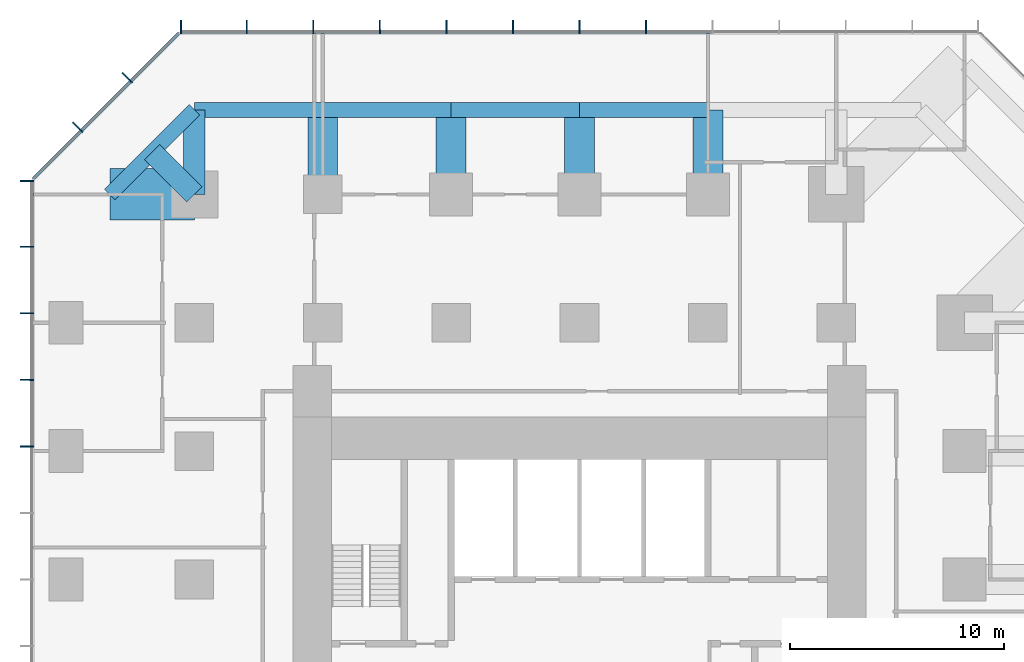
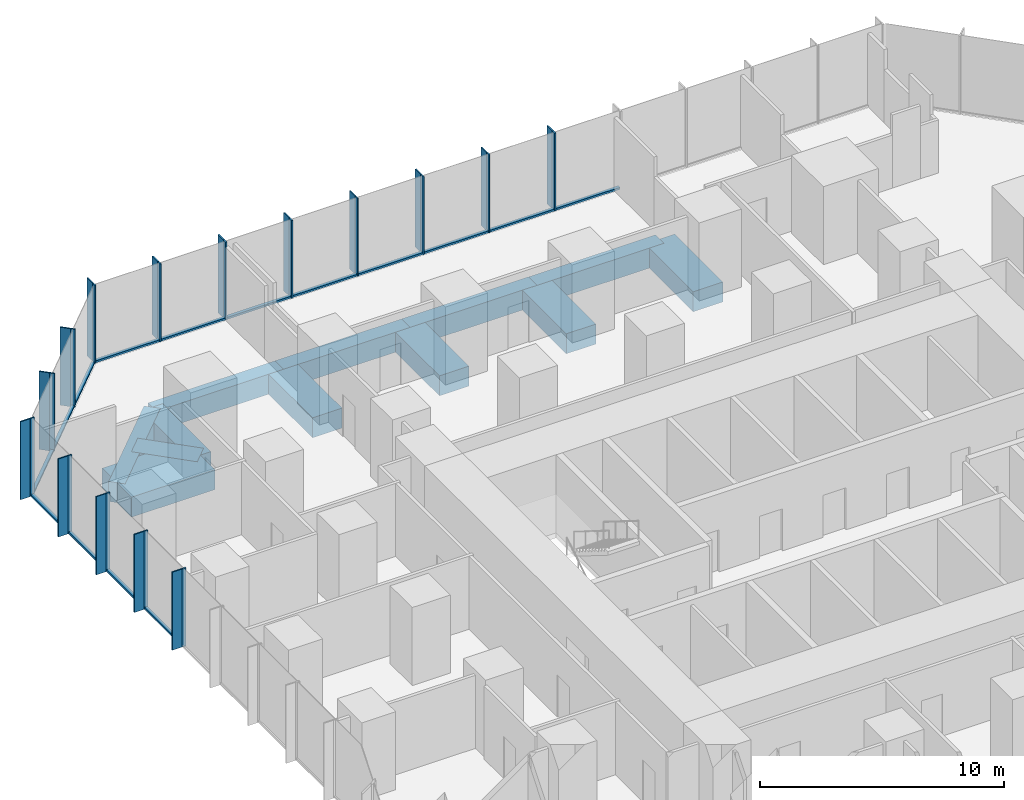
# One storey, part 5 of 12: 45 members, 12 beams, 3 elements without a shape of their own.
"""IFC4 building model written with IfcOpenShell, lengths in metres."""

from ifc_helpers import new_model, si_unit, direction, frame, origin, origin_2d, place, context, subcontext, project, spatial, rectangle, extrude, material, layer, layer_set, material_profile, profile_set, type_object, element, aggregate, save


model = new_model("IFC4")

# Units and contexts
model_context = context("Model", 3, precision=1e-05, world=origin(), true_north=direction((0.0, 1.0)))
body_context = subcontext(model_context, "Body", "Model", "MODEL_VIEW")
ifc_project = project(units=[si_unit("LENGTHUNIT", "METRE"), si_unit("AREAUNIT", "SQUARE_METRE"), si_unit("VOLUMEUNIT", "CUBIC_METRE"), si_unit("PLANEANGLEUNIT", "RADIAN"), si_unit("MASSUNIT", "GRAM", prefix="KILO")], contexts=[model_context])

# Site, building, storey
site_placement = place(None, origin())
site = spatial("IfcSite", under=ifc_project, at=site_placement, CompositionType="ELEMENT")
building_placement = place(site_placement, origin())
building = spatial("IfcBuilding", under=site, at=building_placement, Name="Highveld Stack Headquarters", CompositionType="ELEMENT")
storey_placement = place(building_placement, frame((0.0, 0.0, 72.800048828125)))
storey = spatial("IfcBuildingStorey", under=building, at=storey_placement, Name="L17", CompositionType="ELEMENT", Elevation=72.800048828125)

# Beams
ifc_material_1 = material(Name="Concrete C60/75", Category="concrete")
ifc_material_profile_1 = material_profile(ifc_material_1, rectangle(XDim=1.0, YDim=1.0, at=origin_2d()), Name="RC 1000x1000")
ifc_profile_set_1 = profile_set([ifc_material_profile_1], Name="Concrete C60/75")
beam_type_1 = type_object("IfcBeamType", Name="CANTILEVER RIB RC 1000x1000", PredefinedType="USERDEFINED", material=ifc_profile_set_1)
beam_1_placement = place(storey_placement, frame((-12.0, 24.0, -0.75), z_axis=(0.0, 1.0, 0.0), x_axis=(-1.0, 0.0, 0.0)))
element("IfcBeam", 1, at=beam_1_placement, inside=storey, type_object=beam_type_1, Name="Cantilever rib 4/J L17", ObjectType="CANTILEVER RIB", PredefinedType="USERDEFINED", context=body_context, shape_type="SweptSolid", body=[
    extrude(rectangle(XDim=1.0, YDim=1.0, at=origin_2d()), origin(), (0.0, 0.0, 1.0), 3.949951171875),
])
beam_2_placement = place(storey_placement, frame((-12.0, 24.0, -0.75), z_axis=(-0.707106781187, 0.707106781187, 0.0), x_axis=(-0.707106781187, -0.707106781187, 0.0)))
element("IfcBeam", 2, at=beam_2_placement, inside=storey, type_object=beam_type_1, Name="Cantilever rib 4/J L17", ObjectType="CANTILEVER RIB", PredefinedType="USERDEFINED", context=body_context, shape_type="SweptSolid", body=[
    extrude(rectangle(XDim=1.0, YDim=1.0, at=origin_2d()), origin(), (0.0, 0.0, 1.0), 2.793212890625),
])
ifc_material_2 = material(Name="Concrete C60/75", Category="concrete")
ifc_material_profile_2 = material_profile(ifc_material_2, rectangle(XDim=1.39990234375, YDim=1.0, at=origin_2d()), Name="RC 1400x1000")
ifc_profile_set_2 = profile_set([ifc_material_profile_2], Name="Concrete C60/75")
beam_type_2 = type_object("IfcBeamType", Name="CANTILEVER RIB RC 1400x1000", PredefinedType="USERDEFINED", material=ifc_profile_set_2)
for number, where, z_axis, x_axis, name in (
    (3, (-6.0, 24.0, -0.75), (0.0, 1.0, 0.0), (-1.0, 0.0, 0.0), "Cantilever rib 5/J L17"),
    (4, (0.0, 24.0, -0.75), (0.0, 1.0, 0.0), (-1.0, 0.0, 0.0), "Cantilever rib 6/J L17"),
    (5, (6.0, 24.0, -0.75), (0.0, 1.0, 0.0), (-1.0, 0.0, 0.0), "Cantilever rib 7/J L17"),
    (6, (12.0, 24.0, -0.75), (0.0, 1.0, 0.0), (-1.0, 0.0, 0.0), "Cantilever rib 8/J L17"),
):
    element("IfcBeam", number, at=place(storey_placement, frame(where, z_axis=z_axis, x_axis=x_axis)), inside=storey, type_object=beam_type_2, Name=name, ObjectType="CANTILEVER RIB", PredefinedType="USERDEFINED", context=body_context, shape_type="SweptSolid", body=[
        extrude(rectangle(XDim=1.39990234375, YDim=1.0, at=origin_2d()), origin(), (0.0, 0.0, 1.0), 3.949951171875),
    ])
ifc_material_3 = material(Name="Concrete C60/75", Category="concrete")
ifc_material_profile_3 = material_profile(ifc_material_3, rectangle(XDim=2.39990234375, YDim=1.0, at=origin_2d()), Name="RC 2400x1000")
ifc_profile_set_3 = profile_set([ifc_material_profile_3], Name="Concrete C60/75")
beam_type_3 = type_object("IfcBeamType", Name="CANTILEVER RIB RC 2400x1000", PredefinedType="USERDEFINED", material=ifc_profile_set_3)
beam_3_placement = place(storey_placement, frame((-12.0, 24.0, -0.75), z_axis=(-1.0, 0.0, 0.0), x_axis=(0.0, -1.0, 0.0)))
element("IfcBeam", 7, at=beam_3_placement, inside=storey, type_object=beam_type_3, Name="Cantilever rib 4/J L17", ObjectType="CANTILEVER RIB", PredefinedType="USERDEFINED", context=body_context, shape_type="SweptSolid", body=[
    extrude(rectangle(XDim=2.39990234375, YDim=1.0, at=origin_2d()), origin(), (0.0, 0.0, 1.0), 3.949951171875),
])

# Curtain wall, members
ifc_material_4 = material(Name="Aluminium bronze anodised", Category="aluminium")
ifc_layer_1 = layer(ifc_material_4, 0.199951171875)
ifc_layer_set_1 = layer_set([ifc_layer_1], Name="Aluminium bronze anodised")
curtain_wall_type_1 = type_object("IfcCurtainWallType", Name="CW1 TOWER UNITISED CURTAIN WALL", PredefinedType="NOTDEFINED", material=ifc_layer_set_1)
curtain_wall_1_placement = place(storey_placement, origin())
curtain_wall_1 = element("IfcCurtainWall", 8, at=curtain_wall_1_placement, inside=storey, type_object=curtain_wall_type_1, Name="Curtain wall CW1 L17 N", PredefinedType="NOTDEFINED")
ifc_material_5 = material(Name="Aluminium bronze anodised", Category="aluminium")
ifc_material_profile_4 = material_profile(ifc_material_5, rectangle(XDim=0.449951171875, YDim=0.06005859375, at=origin_2d()), Name="FIN 450x60")
ifc_profile_set_4 = profile_set([ifc_material_profile_4], Name="Aluminium bronze anodised")
member_type_1 = type_object("IfcMemberType", Name="CW1 BRONZE FIN 450x60", PredefinedType="USERDEFINED", material=ifc_profile_set_4)
member_1_placement = place(storey_placement, frame((9.110595703125, 31.925048828125, 0.0), z_axis=(0.0, 0.0, 1.0), x_axis=(0.0, -1.0, 0.0)))
member_1 = element("IfcMember", 9, at=member_1_placement, type_object=member_type_1, Name="CW1 fin L17 6", ObjectType="FIN", PredefinedType="USERDEFINED", context=body_context, shape_type="SweptSolid", body=[
    extrude(rectangle(XDim=0.449951171875, YDim=0.06005859375, at=origin_2d()), origin(), (0.0, 0.0, 1.0), 3.89990234375),
])
member_2_placement = place(storey_placement, frame((6.0, 31.925048828125, 0.0), z_axis=(0.0, 0.0, 1.0), x_axis=(0.0, -1.0, 0.0)))
member_2 = element("IfcMember", 10, at=member_2_placement, type_object=member_type_1, Name="CW1 fin L17 7", ObjectType="FIN", PredefinedType="USERDEFINED", context=body_context, shape_type="SweptSolid", body=[
    extrude(rectangle(XDim=0.449951171875, YDim=0.06005859375, at=origin_2d()), origin(), (0.0, 0.0, 1.0), 3.89990234375),
])
member_3_placement = place(storey_placement, frame((2.889404296875, 31.925048828125, 0.0), z_axis=(0.0, 0.0, 1.0), x_axis=(0.0, -1.0, 0.0)))
member_3 = element("IfcMember", 11, at=member_3_placement, type_object=member_type_1, Name="CW1 fin L17 8", ObjectType="FIN", PredefinedType="USERDEFINED", context=body_context, shape_type="SweptSolid", body=[
    extrude(rectangle(XDim=0.449951171875, YDim=0.06005859375, at=origin_2d()), origin(), (0.0, 0.0, 1.0), 3.89990234375),
])
member_4_placement = place(storey_placement, frame((-0.220947265625, 31.925048828125, 0.0), z_axis=(0.0, 0.0, 1.0), x_axis=(0.0, -1.0, 0.0)))
member_4 = element("IfcMember", 12, at=member_4_placement, type_object=member_type_1, Name="CW1 fin L17 9", ObjectType="FIN", PredefinedType="USERDEFINED", context=body_context, shape_type="SweptSolid", body=[
    extrude(rectangle(XDim=0.449951171875, YDim=0.06005859375, at=origin_2d()), origin(), (0.0, 0.0, 1.0), 3.89990234375),
])
member_5_placement = place(storey_placement, frame((-3.331298828125, 31.925048828125, 0.0), z_axis=(0.0, 0.0, 1.0), x_axis=(0.0, -1.0, 0.0)))
member_5 = element("IfcMember", 13, at=member_5_placement, type_object=member_type_1, Name="CW1 fin L17 10", ObjectType="FIN", PredefinedType="USERDEFINED", context=body_context, shape_type="SweptSolid", body=[
    extrude(rectangle(XDim=0.449951171875, YDim=0.06005859375, at=origin_2d()), origin(), (0.0, 0.0, 1.0), 3.89990234375),
])
member_6_placement = place(storey_placement, frame((-6.44189453125, 31.925048828125, 0.0), z_axis=(0.0, 0.0, 1.0), x_axis=(0.0, -1.0, 0.0)))
member_6 = element("IfcMember", 14, at=member_6_placement, type_object=member_type_1, Name="CW1 fin L17 11", ObjectType="FIN", PredefinedType="USERDEFINED", context=body_context, shape_type="SweptSolid", body=[
    extrude(rectangle(XDim=0.449951171875, YDim=0.06005859375, at=origin_2d()), origin(), (0.0, 0.0, 1.0), 3.89990234375),
])
member_7_placement = place(storey_placement, frame((-9.55224609375, 31.925048828125, 0.0), z_axis=(0.0, 0.0, 1.0), x_axis=(0.0, -1.0, 0.0)))
member_7 = element("IfcMember", 15, at=member_7_placement, type_object=member_type_1, Name="CW1 fin L17 12", ObjectType="FIN", PredefinedType="USERDEFINED", context=body_context, shape_type="SweptSolid", body=[
    extrude(rectangle(XDim=0.449951171875, YDim=0.06005859375, at=origin_2d()), origin(), (0.0, 0.0, 1.0), 3.89990234375),
])
member_8_placement = place(storey_placement, frame((-12.630126953125, 31.925048828125, 0.0), z_axis=(0.0, 0.0, 1.0), x_axis=(0.0, -1.0, 0.0)))
member_8 = element("IfcMember", 16, at=member_8_placement, type_object=member_type_1, Name="CW1 fin L17 13", ObjectType="FIN", PredefinedType="USERDEFINED", context=body_context, shape_type="SweptSolid", body=[
    extrude(rectangle(XDim=0.449951171875, YDim=0.06005859375, at=origin_2d()), origin(), (0.0, 0.0, 1.0), 3.89990234375),
])

curtain_wall_2_placement = place(storey_placement, origin())
curtain_wall_2 = element("IfcCurtainWall", 17, at=curtain_wall_2_placement, inside=storey, type_object=curtain_wall_type_1, Name="Curtain wall CW1 L17 W", PredefinedType="NOTDEFINED")
member_9_placement = place(storey_placement, frame((-19.925048828125, 24.630126953125, 0.0), z_axis=(0.0, 0.0, 1.0), x_axis=(1.0, 0.0, 0.0)))
member_9 = element("IfcMember", 18, at=member_9_placement, type_object=member_type_1, Name="CW1 fin L17 1", ObjectType="FIN", PredefinedType="USERDEFINED", context=body_context, shape_type="SweptSolid", body=[
    extrude(rectangle(XDim=0.449951171875, YDim=0.06005859375, at=origin_2d()), origin(), (0.0, 0.0, 1.0), 3.89990234375),
])
member_10_placement = place(storey_placement, frame((-19.925048828125, 21.55224609375, 0.0), z_axis=(0.0, 0.0, 1.0), x_axis=(1.0, 0.0, 0.0)))
member_10 = element("IfcMember", 19, at=member_10_placement, type_object=member_type_1, Name="CW1 fin L17 2", ObjectType="FIN", PredefinedType="USERDEFINED", context=body_context, shape_type="SweptSolid", body=[
    extrude(rectangle(XDim=0.449951171875, YDim=0.06005859375, at=origin_2d()), origin(), (0.0, 0.0, 1.0), 3.89990234375),
])
member_11_placement = place(storey_placement, frame((-19.925048828125, 18.44189453125, 0.0), z_axis=(0.0, 0.0, 1.0), x_axis=(1.0, 0.0, 0.0)))
member_11 = element("IfcMember", 20, at=member_11_placement, type_object=member_type_1, Name="CW1 fin L17 3", ObjectType="FIN", PredefinedType="USERDEFINED", context=body_context, shape_type="SweptSolid", body=[
    extrude(rectangle(XDim=0.449951171875, YDim=0.06005859375, at=origin_2d()), origin(), (0.0, 0.0, 1.0), 3.89990234375),
])
member_12_placement = place(storey_placement, frame((-19.925048828125, 15.331298828125, 0.0), z_axis=(0.0, 0.0, 1.0), x_axis=(1.0, 0.0, 0.0)))
member_12 = element("IfcMember", 21, at=member_12_placement, type_object=member_type_1, Name="CW1 fin L17 4", ObjectType="FIN", PredefinedType="USERDEFINED", context=body_context, shape_type="SweptSolid", body=[
    extrude(rectangle(XDim=0.449951171875, YDim=0.06005859375, at=origin_2d()), origin(), (0.0, 0.0, 1.0), 3.89990234375),
])
member_13_placement = place(storey_placement, frame((-19.925048828125, 12.220947265625, 0.0), z_axis=(0.0, 0.0, 1.0), x_axis=(1.0, 0.0, 0.0)))
member_13 = element("IfcMember", 22, at=member_13_placement, type_object=member_type_1, Name="CW1 fin L17 5", ObjectType="FIN", PredefinedType="USERDEFINED", context=body_context, shape_type="SweptSolid", body=[
    extrude(rectangle(XDim=0.449951171875, YDim=0.06005859375, at=origin_2d()), origin(), (0.0, 0.0, 1.0), 3.89990234375),
])

# Member
ifc_material_6 = material(Name="Aluminium bronze anodised", Category="aluminium")
ifc_material_profile_5 = material_profile(ifc_material_6, rectangle(XDim=0.199951171875, YDim=0.06494140625, at=origin_2d()), Name="CW1 MULLION 65x200")
ifc_profile_set_5 = profile_set([ifc_material_profile_5], Name="Aluminium bronze anodised")
member_type_2 = type_object("IfcMemberType", Name="CW1 MULLION 65x200", PredefinedType="MULLION", material=ifc_profile_set_5)
member_14_placement = place(storey_placement, frame((9.110595703125, 31.60009765625, 0.0), z_axis=(0.0, 0.0, 1.0), x_axis=(0.0, -1.0, 0.0)))
member_14 = element("IfcMember", 23, at=member_14_placement, type_object=member_type_2, Name="CW1 mullion L17 6", PredefinedType="MULLION", context=body_context, shape_type="SweptSolid", body=[
    extrude(rectangle(XDim=0.199951171875, YDim=0.06494140625, at=origin_2d()), origin(), (0.0, 0.0, 1.0), 3.89990234375),
])

member_15_placement = place(storey_placement, frame((6.0, 31.60009765625, 0.0), z_axis=(0.0, 0.0, 1.0), x_axis=(0.0, -1.0, 0.0)))
member_15 = element("IfcMember", 24, at=member_15_placement, type_object=member_type_2, Name="CW1 mullion L17 7", PredefinedType="MULLION", context=body_context, shape_type="SweptSolid", body=[
    extrude(rectangle(XDim=0.199951171875, YDim=0.06494140625, at=origin_2d()), origin(), (0.0, 0.0, 1.0), 3.89990234375),
])

member_16_placement = place(storey_placement, frame((2.889404296875, 31.60009765625, 0.0), z_axis=(0.0, 0.0, 1.0), x_axis=(0.0, -1.0, 0.0)))
member_16 = element("IfcMember", 25, at=member_16_placement, type_object=member_type_2, Name="CW1 mullion L17 8", PredefinedType="MULLION", context=body_context, shape_type="SweptSolid", body=[
    extrude(rectangle(XDim=0.199951171875, YDim=0.06494140625, at=origin_2d()), origin(), (0.0, 0.0, 1.0), 3.89990234375),
])

member_17_placement = place(storey_placement, frame((-0.220947265625, 31.60009765625, 0.0), z_axis=(0.0, 0.0, 1.0), x_axis=(0.0, -1.0, 0.0)))
member_17 = element("IfcMember", 26, at=member_17_placement, type_object=member_type_2, Name="CW1 mullion L17 9", PredefinedType="MULLION", context=body_context, shape_type="SweptSolid", body=[
    extrude(rectangle(XDim=0.199951171875, YDim=0.06494140625, at=origin_2d()), origin(), (0.0, 0.0, 1.0), 3.89990234375),
])

member_18_placement = place(storey_placement, frame((-3.331298828125, 31.60009765625, 0.0), z_axis=(0.0, 0.0, 1.0), x_axis=(0.0, -1.0, 0.0)))
member_18 = element("IfcMember", 27, at=member_18_placement, type_object=member_type_2, Name="CW1 mullion L17 10", PredefinedType="MULLION", context=body_context, shape_type="SweptSolid", body=[
    extrude(rectangle(XDim=0.199951171875, YDim=0.06494140625, at=origin_2d()), origin(), (0.0, 0.0, 1.0), 3.89990234375),
])

member_19_placement = place(storey_placement, frame((-6.44189453125, 31.60009765625, 0.0), z_axis=(0.0, 0.0, 1.0), x_axis=(0.0, -1.0, 0.0)))
member_19 = element("IfcMember", 28, at=member_19_placement, type_object=member_type_2, Name="CW1 mullion L17 11", PredefinedType="MULLION", context=body_context, shape_type="SweptSolid", body=[
    extrude(rectangle(XDim=0.199951171875, YDim=0.06494140625, at=origin_2d()), origin(), (0.0, 0.0, 1.0), 3.89990234375),
])

member_20_placement = place(storey_placement, frame((-9.55224609375, 31.60009765625, 0.0), z_axis=(0.0, 0.0, 1.0), x_axis=(0.0, -1.0, 0.0)))
member_20 = element("IfcMember", 29, at=member_20_placement, type_object=member_type_2, Name="CW1 mullion L17 12", PredefinedType="MULLION", context=body_context, shape_type="SweptSolid", body=[
    extrude(rectangle(XDim=0.199951171875, YDim=0.06494140625, at=origin_2d()), origin(), (0.0, 0.0, 1.0), 3.89990234375),
])

member_21_placement = place(storey_placement, frame((-12.630126953125, 31.60009765625, 0.0), z_axis=(0.0, 0.0, 1.0), x_axis=(0.0, -1.0, 0.0)))
member_21 = element("IfcMember", 30, at=member_21_placement, type_object=member_type_2, Name="CW1 mullion L17 13", PredefinedType="MULLION", context=body_context, shape_type="SweptSolid", body=[
    extrude(rectangle(XDim=0.199951171875, YDim=0.06494140625, at=origin_2d()), origin(), (0.0, 0.0, 1.0), 3.89990234375),
])

member_22_placement = place(storey_placement, frame((-19.60009765625, 24.630126953125, 0.0), z_axis=(0.0, 0.0, 1.0), x_axis=(1.0, 0.0, 0.0)))
member_22 = element("IfcMember", 31, at=member_22_placement, type_object=member_type_2, Name="CW1 mullion L17 1", PredefinedType="MULLION", context=body_context, shape_type="SweptSolid", body=[
    extrude(rectangle(XDim=0.199951171875, YDim=0.06494140625, at=origin_2d()), origin(), (0.0, 0.0, 1.0), 3.89990234375),
])

member_23_placement = place(storey_placement, frame((-19.60009765625, 21.55224609375, 0.0), z_axis=(0.0, 0.0, 1.0), x_axis=(1.0, 0.0, 0.0)))
member_23 = element("IfcMember", 32, at=member_23_placement, type_object=member_type_2, Name="CW1 mullion L17 2", PredefinedType="MULLION", context=body_context, shape_type="SweptSolid", body=[
    extrude(rectangle(XDim=0.199951171875, YDim=0.06494140625, at=origin_2d()), origin(), (0.0, 0.0, 1.0), 3.89990234375),
])

member_24_placement = place(storey_placement, frame((-19.60009765625, 18.44189453125, 0.0), z_axis=(0.0, 0.0, 1.0), x_axis=(1.0, 0.0, 0.0)))
member_24 = element("IfcMember", 33, at=member_24_placement, type_object=member_type_2, Name="CW1 mullion L17 3", PredefinedType="MULLION", context=body_context, shape_type="SweptSolid", body=[
    extrude(rectangle(XDim=0.199951171875, YDim=0.06494140625, at=origin_2d()), origin(), (0.0, 0.0, 1.0), 3.89990234375),
])

member_25_placement = place(storey_placement, frame((-19.60009765625, 15.331298828125, 0.0), z_axis=(0.0, 0.0, 1.0), x_axis=(1.0, 0.0, 0.0)))
member_25 = element("IfcMember", 34, at=member_25_placement, type_object=member_type_2, Name="CW1 mullion L17 4", PredefinedType="MULLION", context=body_context, shape_type="SweptSolid", body=[
    extrude(rectangle(XDim=0.199951171875, YDim=0.06494140625, at=origin_2d()), origin(), (0.0, 0.0, 1.0), 3.89990234375),
])

member_26_placement = place(storey_placement, frame((-19.60009765625, 12.220947265625, 0.0), z_axis=(0.0, 0.0, 1.0), x_axis=(1.0, 0.0, 0.0)))
member_26 = element("IfcMember", 35, at=member_26_placement, type_object=member_type_2, Name="CW1 mullion L17 5", PredefinedType="MULLION", context=body_context, shape_type="SweptSolid", body=[
    extrude(rectangle(XDim=0.199951171875, YDim=0.06494140625, at=origin_2d()), origin(), (0.0, 0.0, 1.0), 3.89990234375),
])

ifc_material_7 = material(Name="Aluminium bronze anodised", Category="aluminium")
ifc_material_profile_6 = material_profile(ifc_material_7, rectangle(XDim=0.14990234375, YDim=0.10009765625, at=origin_2d()), Name="CW1 TRANSOM 150x100")
ifc_profile_set_6 = profile_set([ifc_material_profile_6], Name="Aluminium bronze anodised")
member_type_3 = type_object("IfcMemberType", Name="CW1 STACK TRANSOM 150x100", PredefinedType="USERDEFINED", material=ifc_profile_set_6)
member_27_placement = place(storey_placement, frame((12.1884765625, 31.60009765625, 0.050048828125), z_axis=(-1.0, 0.0, 0.0), x_axis=(0.0, -1.0, 0.0)))
member_27 = element("IfcMember", 36, at=member_27_placement, type_object=member_type_3, Name="CW1 transom L17 5.1", ObjectType="TRANSOM", PredefinedType="USERDEFINED", context=body_context, shape_type="SweptSolid", body=[
    extrude(rectangle(XDim=0.14990234375, YDim=0.10009765625, at=origin_2d()), origin(), (0.0, 0.0, 1.0), 3.04541015625),
])

member_28_placement = place(storey_placement, frame((9.077880859375, 31.60009765625, 0.050048828125), z_axis=(-1.0, 0.0, 0.0), x_axis=(0.0, -1.0, 0.0)))
member_28 = element("IfcMember", 37, at=member_28_placement, type_object=member_type_3, Name="CW1 transom L17 6.1", ObjectType="TRANSOM", PredefinedType="USERDEFINED", context=body_context, shape_type="SweptSolid", body=[
    extrude(rectangle(XDim=0.14990234375, YDim=0.10009765625, at=origin_2d()), origin(), (0.0, 0.0, 1.0), 3.04541015625),
])

member_29_placement = place(storey_placement, frame((5.967529296875, 31.60009765625, 0.050048828125), z_axis=(-1.0, 0.0, 0.0), x_axis=(0.0, -1.0, 0.0)))
member_29 = element("IfcMember", 38, at=member_29_placement, type_object=member_type_3, Name="CW1 transom L17 7.1", ObjectType="TRANSOM", PredefinedType="USERDEFINED", context=body_context, shape_type="SweptSolid", body=[
    extrude(rectangle(XDim=0.14990234375, YDim=0.10009765625, at=origin_2d()), origin(), (0.0, 0.0, 1.0), 3.04541015625),
])

member_30_placement = place(storey_placement, frame((2.857177734375, 31.60009765625, 0.050048828125), z_axis=(-1.0, 0.0, 0.0), x_axis=(0.0, -1.0, 0.0)))
member_30 = element("IfcMember", 39, at=member_30_placement, type_object=member_type_3, Name="CW1 transom L17 8.1", ObjectType="TRANSOM", PredefinedType="USERDEFINED", context=body_context, shape_type="SweptSolid", body=[
    extrude(rectangle(XDim=0.14990234375, YDim=0.10009765625, at=origin_2d()), origin(), (0.0, 0.0, 1.0), 3.045654296875),
])

member_31_placement = place(storey_placement, frame((-0.25341796875, 31.60009765625, 0.050048828125), z_axis=(-1.0, 0.0, 0.0), x_axis=(0.0, -1.0, 0.0)))
member_31 = element("IfcMember", 40, at=member_31_placement, type_object=member_type_3, Name="CW1 transom L17 9.1", ObjectType="TRANSOM", PredefinedType="USERDEFINED", context=body_context, shape_type="SweptSolid", body=[
    extrude(rectangle(XDim=0.14990234375, YDim=0.10009765625, at=origin_2d()), origin(), (0.0, 0.0, 1.0), 3.04541015625),
])

member_32_placement = place(storey_placement, frame((-3.36376953125, 31.60009765625, 0.050048828125), z_axis=(-1.0, 0.0, 0.0), x_axis=(0.0, -1.0, 0.0)))
member_32 = element("IfcMember", 41, at=member_32_placement, type_object=member_type_3, Name="CW1 transom L17 10.1", ObjectType="TRANSOM", PredefinedType="USERDEFINED", context=body_context, shape_type="SweptSolid", body=[
    extrude(rectangle(XDim=0.14990234375, YDim=0.10009765625, at=origin_2d()), origin(), (0.0, 0.0, 1.0), 3.04541015625),
])

member_33_placement = place(storey_placement, frame((-6.474365234375, 31.60009765625, 0.050048828125), z_axis=(-1.0, 0.0, 0.0), x_axis=(0.0, -1.0, 0.0)))
member_33 = element("IfcMember", 42, at=member_33_placement, type_object=member_type_3, Name="CW1 transom L17 11.1", ObjectType="TRANSOM", PredefinedType="USERDEFINED", context=body_context, shape_type="SweptSolid", body=[
    extrude(rectangle(XDim=0.14990234375, YDim=0.10009765625, at=origin_2d()), origin(), (0.0, 0.0, 1.0), 3.04541015625),
])

member_34_placement = place(storey_placement, frame((-9.584716796875, 31.60009765625, 0.050048828125), z_axis=(-1.0, 0.0, 0.0), x_axis=(0.0, -1.0, 0.0)))
member_34 = element("IfcMember", 43, at=member_34_placement, type_object=member_type_3, Name="CW1 transom L17 12.1", ObjectType="TRANSOM", PredefinedType="USERDEFINED", context=body_context, shape_type="SweptSolid", body=[
    extrude(rectangle(XDim=0.14990234375, YDim=0.10009765625, at=origin_2d()), origin(), (0.0, 0.0, 1.0), 3.012939453125),
])

aggregate(curtain_wall_1, [member_14, member_1, member_15, member_2, member_16, member_3, member_17, member_4, member_18, member_5, member_19, member_6, member_20, member_7, member_21, member_8, member_27, member_28, member_29, member_30, member_31, member_32, member_33, member_34])

member_35_placement = place(storey_placement, frame((-19.60009765625, 24.59765625, 0.050048828125), z_axis=(0.0, -1.0, 0.0), x_axis=(1.0, 0.0, 0.0)))
member_35 = element("IfcMember", 44, at=member_35_placement, type_object=member_type_3, Name="CW1 transom L17 1.1", ObjectType="TRANSOM", PredefinedType="USERDEFINED", context=body_context, shape_type="SweptSolid", body=[
    extrude(rectangle(XDim=0.14990234375, YDim=0.10009765625, at=origin_2d()), origin(), (0.0, 0.0, 1.0), 3.012939453125),
])

member_36_placement = place(storey_placement, frame((-19.60009765625, 21.519775390625, 0.050048828125), z_axis=(0.0, -1.0, 0.0), x_axis=(1.0, 0.0, 0.0)))
member_36 = element("IfcMember", 45, at=member_36_placement, type_object=member_type_3, Name="CW1 transom L17 2.1", ObjectType="TRANSOM", PredefinedType="USERDEFINED", context=body_context, shape_type="SweptSolid", body=[
    extrude(rectangle(XDim=0.14990234375, YDim=0.10009765625, at=origin_2d()), origin(), (0.0, 0.0, 1.0), 3.04541015625),
])

member_37_placement = place(storey_placement, frame((-19.60009765625, 18.4091796875, 0.050048828125), z_axis=(0.0, -1.0, 0.0), x_axis=(1.0, 0.0, 0.0)))
member_37 = element("IfcMember", 46, at=member_37_placement, type_object=member_type_3, Name="CW1 transom L17 3.1", ObjectType="TRANSOM", PredefinedType="USERDEFINED", context=body_context, shape_type="SweptSolid", body=[
    extrude(rectangle(XDim=0.14990234375, YDim=0.10009765625, at=origin_2d()), origin(), (0.0, 0.0, 1.0), 3.045166015625),
])

member_38_placement = place(storey_placement, frame((-19.60009765625, 15.298828125, 0.050048828125), z_axis=(0.0, -1.0, 0.0), x_axis=(1.0, 0.0, 0.0)))
member_38 = element("IfcMember", 47, at=member_38_placement, type_object=member_type_3, Name="CW1 transom L17 4.1", ObjectType="TRANSOM", PredefinedType="USERDEFINED", context=body_context, shape_type="SweptSolid", body=[
    extrude(rectangle(XDim=0.14990234375, YDim=0.10009765625, at=origin_2d()), origin(), (0.0, 0.0, 1.0), 3.04541015625),
])

aggregate(curtain_wall_2, [member_22, member_9, member_23, member_10, member_24, member_11, member_25, member_12, member_26, member_13, member_35, member_36, member_37, member_38])

# Curtain wall, members
ifc_material_8 = material(Name="Aluminium bronze anodised", Category="aluminium")
ifc_layer_2 = layer(ifc_material_8, 0.199951171875)
ifc_layer_set_2 = layer_set([ifc_layer_2], Name="Aluminium bronze anodised")
curtain_wall_type_2 = type_object("IfcCurtainWallType", Name="CW2 TOWER CHAMFER UNITISED CURTAIN WALL", PredefinedType="NOTDEFINED", material=ifc_layer_set_2)
curtain_wall_3_placement = place(storey_placement, origin())
curtain_wall_3 = element("IfcCurtainWall", 48, at=curtain_wall_3_placement, inside=storey, type_object=curtain_wall_type_2, Name="Curtain wall CW2 L17 NW", PredefinedType="NOTDEFINED")
ifc_material_9 = material(Name="Aluminium bronze anodised", Category="aluminium")
ifc_material_profile_7 = material_profile(ifc_material_9, rectangle(XDim=0.449951171875, YDim=0.06005859375, at=origin_2d()), Name="FIN 450x60")
ifc_profile_set_7 = profile_set([ifc_material_profile_7], Name="Aluminium bronze anodised")
member_type_4 = type_object("IfcMemberType", Name="CW2 BRONZE FIN 450x60", PredefinedType="USERDEFINED", material=ifc_profile_set_7)
member_39_placement = place(storey_placement, frame((-15.204833984375, 29.517333984375, 0.0), z_axis=(0.0, 0.0, 1.0), x_axis=(0.707106781187, -0.707106781187, 0.0)))
member_39 = element("IfcMember", 49, at=member_39_placement, type_object=member_type_4, Name="CW2 fin L17 1", ObjectType="FIN", PredefinedType="USERDEFINED", context=body_context, shape_type="SweptSolid", body=[
    extrude(rectangle(XDim=0.449951171875, YDim=0.06005859375, at=origin_2d()), origin(), (0.0, 0.0, 1.0), 3.89990234375),
])
member_40_placement = place(storey_placement, frame((-17.517333984375, 27.204833984375, 0.0), z_axis=(0.0, 0.0, 1.0), x_axis=(0.707106781187, -0.707106781187, 0.0)))
member_40 = element("IfcMember", 50, at=member_40_placement, type_object=member_type_4, Name="CW2 fin L17 2", ObjectType="FIN", PredefinedType="USERDEFINED", context=body_context, shape_type="SweptSolid", body=[
    extrude(rectangle(XDim=0.449951171875, YDim=0.06005859375, at=origin_2d()), origin(), (0.0, 0.0, 1.0), 3.89990234375),
])
ifc_material_10 = material(Name="Aluminium bronze anodised", Category="aluminium")
ifc_material_profile_8 = material_profile(ifc_material_10, rectangle(XDim=0.199951171875, YDim=0.06494140625, at=origin_2d()), Name="CW2 MULLION 65x200")
ifc_profile_set_8 = profile_set([ifc_material_profile_8], Name="Aluminium bronze anodised")
member_type_5 = type_object("IfcMemberType", Name="CW2 MULLION 65x200", PredefinedType="MULLION", material=ifc_profile_set_8)
member_41_placement = place(storey_placement, frame((-14.97509765625, 29.28759765625, 0.0), z_axis=(0.0, 0.0, 1.0), x_axis=(0.707106781187, -0.707106781187, 0.0)))
member_41 = element("IfcMember", 51, at=member_41_placement, type_object=member_type_5, Name="CW2 mullion L17 1", PredefinedType="MULLION", context=body_context, shape_type="SweptSolid", body=[
    extrude(rectangle(XDim=0.199951171875, YDim=0.06494140625, at=origin_2d()), origin(), (0.0, 0.0, 1.0), 3.89990234375),
])
member_42_placement = place(storey_placement, frame((-17.28759765625, 26.97509765625, 0.0), z_axis=(0.0, 0.0, 1.0), x_axis=(0.707106781187, -0.707106781187, 0.0)))
member_42 = element("IfcMember", 52, at=member_42_placement, type_object=member_type_5, Name="CW2 mullion L17 2", PredefinedType="MULLION", context=body_context, shape_type="SweptSolid", body=[
    extrude(rectangle(XDim=0.199951171875, YDim=0.06494140625, at=origin_2d()), origin(), (0.0, 0.0, 1.0), 3.89990234375),
])
ifc_material_11 = material(Name="Aluminium bronze anodised", Category="aluminium")
ifc_material_profile_9 = material_profile(ifc_material_11, rectangle(XDim=0.14990234375, YDim=0.10009765625, at=origin_2d()), Name="CW2 TRANSOM 150x100")
ifc_profile_set_9 = profile_set([ifc_material_profile_9], Name="Aluminium bronze anodised")
member_type_6 = type_object("IfcMemberType", Name="CW2 STACK TRANSOM 150x100", PredefinedType="USERDEFINED", material=ifc_profile_set_9)
member_43_placement = place(storey_placement, frame((-12.7333984375, 31.529296875, 0.050048828125), z_axis=(-0.707106781187, -0.707106781187, 0.0), x_axis=(0.707106781187, -0.707106781187, 0.0)))
member_43 = element("IfcMember", 53, at=member_43_placement, type_object=member_type_6, Name="CW2 transom L17 1.1", ObjectType="TRANSOM", PredefinedType="USERDEFINED", context=body_context, shape_type="SweptSolid", body=[
    extrude(rectangle(XDim=0.14990234375, YDim=0.10009765625, at=origin_2d()), origin(), (0.0, 0.0, 1.0), 3.1376953125),
])
member_44_placement = place(storey_placement, frame((-14.998046875, 29.2646484375, 0.050048828125), z_axis=(-0.707106781187, -0.707106781187, 0.0), x_axis=(0.707106781187, -0.707106781187, 0.0)))
member_44 = element("IfcMember", 54, at=member_44_placement, type_object=member_type_6, Name="CW2 transom L17 2.1", ObjectType="TRANSOM", PredefinedType="USERDEFINED", context=body_context, shape_type="SweptSolid", body=[
    extrude(rectangle(XDim=0.14990234375, YDim=0.10009765625, at=origin_2d()), origin(), (0.0, 0.0, 1.0), 3.20556640625),
])
member_45_placement = place(storey_placement, frame((-17.310546875, 26.9521484375, 0.050048828125), z_axis=(-0.707106781187, -0.707106781187, 0.0), x_axis=(0.707106781187, -0.707106781187, 0.0)))
member_45 = element("IfcMember", 55, at=member_45_placement, type_object=member_type_6, Name="CW2 transom L17 3.1", ObjectType="TRANSOM", PredefinedType="USERDEFINED", context=body_context, shape_type="SweptSolid", body=[
    extrude(rectangle(XDim=0.14990234375, YDim=0.10009765625, at=origin_2d()), origin(), (0.0, 0.0, 1.0), 3.1376953125),
])
aggregate(curtain_wall_3, [member_41, member_39, member_42, member_40, member_43, member_44, member_45])

# Beams
ifc_material_12 = material(Name="Concrete C60/75", Category="concrete")
ifc_material_profile_10 = material_profile(ifc_material_12, rectangle(XDim=0.699951171875, YDim=1.0, at=origin_2d()), Name="RC 700x1000")
ifc_profile_set_10 = profile_set([ifc_material_profile_10], Name="Concrete C60/75")
beam_type_4 = type_object("IfcBeamType", Name="RIB TIP BEAM RC 700x1000", PredefinedType="SPANDREL", material=ifc_profile_set_10)
for number, where, z_axis, x_axis, name in (
    (56, (-12.0, 27.949951171875, -0.75), (1.0, 0.0, 0.0), (0.0, 1.0, 0.0), "Rib tip beam 4/J to 5/J L17"),
    (57, (-6.0, 27.949951171875, -0.75), (1.0, 0.0, 0.0), (0.0, 1.0, 0.0), "Rib tip beam 5/J to 6/J L17"),
    (58, (0.0, 27.949951171875, -0.75), (1.0, 0.0, 0.0), (0.0, 1.0, 0.0), "Rib tip beam 6/J to 7/J L17"),
    (59, (6.0, 27.949951171875, -0.75), (1.0, 0.0, 0.0), (0.0, 1.0, 0.0), "Rib tip beam 7/J to 8/J L17"),
):
    element("IfcBeam", number, at=place(storey_placement, frame(where, z_axis=z_axis, x_axis=x_axis)), inside=storey, type_object=beam_type_4, Name=name, PredefinedType="SPANDREL", context=body_context, shape_type="SweptSolid", body=[
        extrude(rectangle(XDim=0.699951171875, YDim=1.0, at=origin_2d()), origin(), (0.0, 0.0, 1.0), 6.0),
    ])
beam_4_placement = place(storey_placement, frame((-15.949951171875, 24.0, -0.75), z_axis=(0.707106781187, 0.707106781187, 0.0), x_axis=(-0.707106781187, 0.707106781187, 0.0)))
element("IfcBeam", 60, at=beam_4_placement, inside=storey, type_object=beam_type_4, Name="Rib tip beam 4/J corner L17", PredefinedType="SPANDREL", context=body_context, shape_type="SweptSolid", body=[
    extrude(rectangle(XDim=0.699951171875, YDim=1.0, at=origin_2d()), origin(), (0.0, 0.0, 1.0), 5.586181640625),
])

save(model, "model.ifc")
